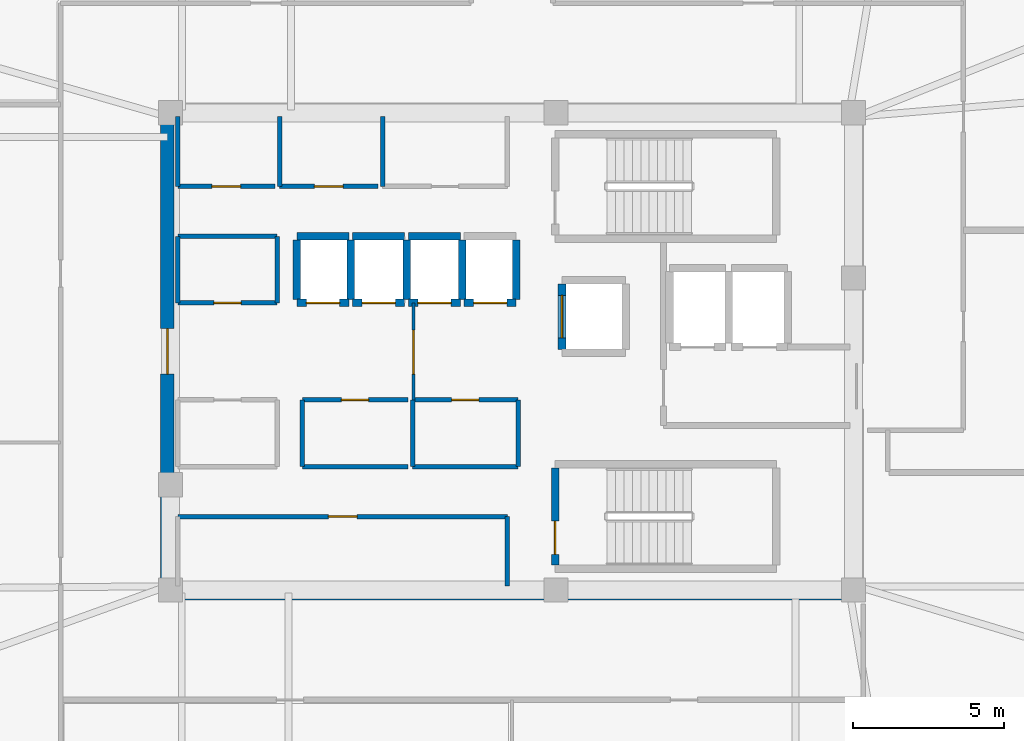
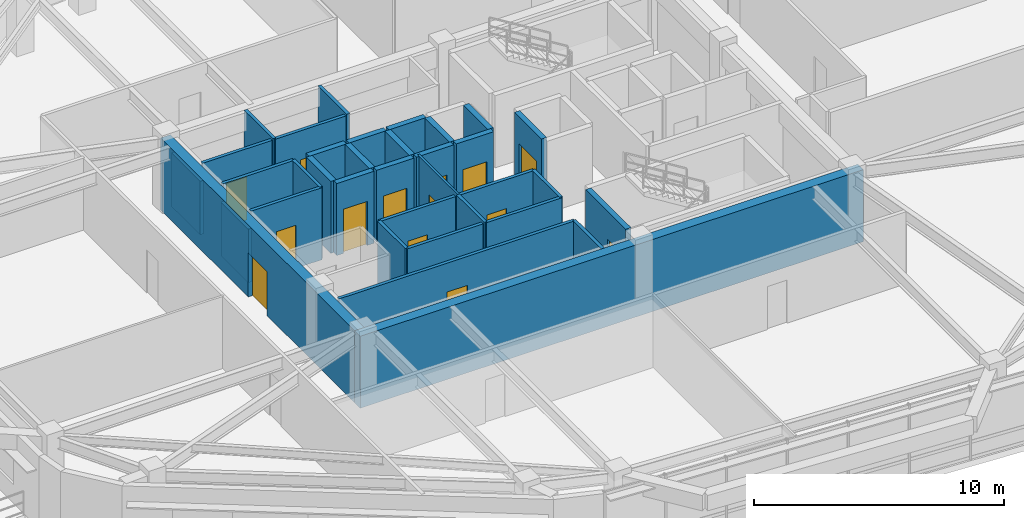
# One storey, part 7 of 12: 35 walls, 14 doors, 14 openings.
"""IFC4 building model written with IfcOpenShell, lengths in metres."""

from ifc_helpers import new_model, si_unit, direction, frame, frame_2d, origin, place, context, subcontext, project, spatial, rectangle, extrude, material, layer, layer_set, type_object, element, fill, save


model = new_model("IFC4")

# Units and contexts
model_context = context("Model", 3, precision=1e-05, world=origin(), true_north=direction((0.0, 1.0)))
body_context = subcontext(model_context, "Body", "Model", "MODEL_VIEW")
ifc_project = project(units=[si_unit("LENGTHUNIT", "METRE"), si_unit("AREAUNIT", "SQUARE_METRE"), si_unit("VOLUMEUNIT", "CUBIC_METRE"), si_unit("PLANEANGLEUNIT", "RADIAN"), si_unit("MASSUNIT", "GRAM", prefix="KILO")], contexts=[model_context])

# Site, building, storey
site_placement = place(None, origin())
site = spatial("IfcSite", under=ifc_project, at=site_placement, CompositionType="ELEMENT")
building_placement = place(site_placement, origin())
building = spatial("IfcBuilding", under=site, at=building_placement, Name="Zulverin Broadcast Headquarters", CompositionType="ELEMENT")
storey_placement = place(building_placement, frame((0.0, 0.0, 232.60009765625)))
storey = spatial("IfcBuildingStorey", under=building, at=storey_placement, Name="L59", CompositionType="ELEMENT", Elevation=232.60009765625)

# Wall
ifc_material_1 = material(Name="Concrete C50/60", Category="concrete")
ifc_layer_1 = layer(ifc_material_1, 0.449951171875, Name="Concrete C50/60", Category="concrete")
ifc_layer_set_1 = layer_set([ifc_layer_1], Name="Concrete C50/60")
wall_type_1 = type_object("IfcWallType", Name="WL-CORE-450", PredefinedType="SHEAR", material=ifc_layer_set_1)
wall_1_placement = place(storey_placement, frame((25.39990234375, 17.22509765625, 0.0), z_axis=(0.0, 0.0, 1.0), x_axis=(1.0, 0.0, 0.0)))
element("IfcWall", 1, at=wall_1_placement, inside=storey, type_object=wall_type_1, Name="L59 Core South Shear Wall", PredefinedType="SHEAR", context=body_context, shape_type="SweptSolid", body=[
    extrude(rectangle(XDim=23.2001953125, YDim=0.449951171875, at=frame_2d((11.60009765625, 0.0))), origin(), (0.0, 0.0, 1.0), 3.510009765625),
])

# Wall, opening, door
wall_2_placement = place(storey_placement, frame((25.625, 17.449951171875, 0.0), z_axis=(0.0, 0.0, 1.0), x_axis=(0.0, 1.0, 0.0)))
wall_2 = element("IfcWall", 2, at=wall_2_placement, inside=storey, type_object=wall_type_1, Name="L59 Core West Shear Wall", PredefinedType="SHEAR", context=body_context, shape_type="SweptSolid", body=[
    extrude(rectangle(XDim=15.5, YDim=0.449951171875, at=frame_2d((7.75, 0.0))), origin(), (0.0, 0.0, 1.0), 3.510009765625),
])
opening_1_placement = place(wall_2_placement, frame((7.0, 0.0, 0.0)))
opening_1 = element("IfcOpeningElement", 3, at=opening_1_placement, cuts=wall_2, Name="Opening D-L59-CW1", PredefinedType="OPENING", context=body_context, shape_type="SweptSolid", body=[
    extrude(rectangle(XDim=1.5, YDim=2.14990234375, at=frame_2d((0.75, 1.074951171875))), frame((0.0, 0.23486328125, 0.0), z_axis=(0.0, -1.0, 0.0), x_axis=(1.0, 0.0, 0.0)), (0.0, 0.0, 1.0), 0.469970703125),
])
ifc_material_2 = material(Name="Fire-rated glazed steel frame", Category="steel")
door_type_1 = type_object("IfcDoorType", Name="DR-COR-1500", OperationType="DOUBLE_DOOR_SINGLE_SWING", PredefinedType="DOOR", material=ifc_material_2)
door_1_placement = place(opening_1_placement, origin())
door_1 = element("IfcDoor", 4, at=door_1_placement, inside=storey, type_object=door_type_1, Name="L59 Central Lift Lobby West Portal Door", OperationType="DOUBLE_DOOR_SINGLE_SWING", OverallHeight=2.14990234375, OverallWidth=1.5, PredefinedType="DOOR", context=body_context, shape_type="SweptSolid", body=[
    extrude(rectangle(XDim=1.5, YDim=2.14990234375, at=frame_2d((0.75, 1.074951171875))), frame((0.0, 0.02490234375, 0.0), z_axis=(0.0, -1.0, 0.0), x_axis=(1.0, 0.0, 0.0)), (0.0, 0.0, 1.0), 0.050048828125),
])
fill(opening_1, door_1)

ifc_material_3 = material(Name="Fire-rated acoustic laminated glass screen", Category="glass")
ifc_layer_2 = layer(ifc_material_3, 0.10009765625, Name="Fire-rated acoustic laminated glass screen", Category="glass")
ifc_layer_set_2 = layer_set([ifc_layer_2], Name="Fire-rated acoustic laminated glass screen")
wall_type_2 = type_object("IfcWallType", Name="WL-GLAZ-100", PredefinedType="PARTITIONING", material=ifc_layer_set_2)
wall_3_placement = place(storey_placement, frame((33.75, 23.60009765625, 0.0), z_axis=(0.0, 0.0, 1.0), x_axis=(0.0, 1.0, 0.0)))
wall_3 = element("IfcWall", 5, at=wall_3_placement, inside=storey, type_object=wall_type_2, Name="L59 Core Lobby Acoustic Screen", PredefinedType="PARTITIONING", context=body_context, shape_type="SweptSolid", body=[
    extrude(rectangle(XDim=3.199951171875, YDim=0.10009765625, at=frame_2d((1.60009765625, 0.0))), origin(), (0.0, 0.0, 1.0), 3.510009765625),
])
opening_2_placement = place(wall_3_placement, frame((0.85009765625, 0.0, 0.0)))
opening_2 = element("IfcOpeningElement", 6, at=opening_2_placement, cuts=wall_3, Name="Opening D-L59-CL1", PredefinedType="OPENING", context=body_context, shape_type="SweptSolid", body=[
    extrude(rectangle(XDim=1.449951171875, YDim=2.1201171875, at=frame_2d((0.72509765625, 1.06005859375))), frame((0.0, 0.06005859375, 0.0), z_axis=(0.0, -1.0, 0.0), x_axis=(1.0, 0.0, 0.0)), (0.0, 0.0, 1.0), 0.1201171875),
])
ifc_material_4 = material(Name="Fire-rated acoustic glazed double leaf", Category="glass")
door_type_2 = type_object("IfcDoorType", Name="DR-GLZ-1450", OperationType="DOUBLE_DOOR_SINGLE_SWING", PredefinedType="DOOR", material=ifc_material_4)
door_2_placement = place(opening_2_placement, origin())
door_2 = element("IfcDoor", 7, at=door_2_placement, inside=storey, type_object=door_type_2, Name="L59 Core Lobby Vestibule Door", OperationType="DOUBLE_DOOR_SINGLE_SWING", OverallHeight=2.1201171875, OverallWidth=1.449951171875, PredefinedType="DOOR", context=body_context, shape_type="SweptSolid", body=[
    extrude(rectangle(XDim=1.449951171875, YDim=2.1201171875, at=frame_2d((0.72509765625, 1.06005859375))), frame((0.0, 0.02490234375, 0.0), z_axis=(0.0, -1.0, 0.0), x_axis=(1.0, 0.0, 0.0)), (0.0, 0.0, 1.0), 0.050048828125),
])
fill(opening_2, door_2)

ifc_material_5 = material(Name="Fire-rated gypsum stud partition", Category="gypsum")
ifc_layer_3 = layer(ifc_material_5, 0.14990234375, Name="Fire-rated gypsum stud partition", Category="gypsum")
ifc_layer_set_3 = layer_set([ifc_layer_3], Name="Fire-rated gypsum stud partition")
wall_type_3 = type_object("IfcWallType", Name="WL-PART-150", PredefinedType="PARTITIONING", material=ifc_layer_set_3)
wall_4_placement = place(storey_placement, frame((25.969970703125, 30.64990234375, 0.0), z_axis=(0.0, 0.0, 1.0), x_axis=(1.0, 0.0, 0.0)))
wall_4 = element("IfcWall", 8, at=wall_4_placement, inside=storey, type_object=wall_type_3, Name="L59 Core Accessible WC Front Wall", PredefinedType="PARTITIONING", context=body_context, shape_type="SweptSolid", body=[
    extrude(rectangle(XDim=3.199951171875, YDim=0.14990234375, at=frame_2d((1.60009765625, 0.0))), origin(), (0.0, 0.0, 1.0), 3.510009765625),
])
opening_3_placement = place(wall_4_placement, frame((1.125, 0.0, 0.0)))
opening_3 = element("IfcOpeningElement", 9, at=opening_3_placement, cuts=wall_4, Name="Opening D-L59-NC1", PredefinedType="OPENING", context=body_context, shape_type="SweptSolid", body=[
    extrude(rectangle(XDim=0.949951171875, YDim=2.10009765625, at=frame_2d((0.47509765625, 1.050048828125))), frame((0.0, 0.0849609375, 0.0), z_axis=(0.0, -1.0, 0.0), x_axis=(1.0, 0.0, 0.0)), (0.0, 0.0, 1.0), 0.169921875),
])
ifc_material_6 = material(Name="Fire-rated moisture-resistant laminate leaf", Category="wood")
door_type_3 = type_object("IfcDoorType", Name="DR-WC-950", OperationType="SINGLE_SWING_LEFT", PredefinedType="DOOR", material=ifc_material_6)
door_3_placement = place(opening_3_placement, origin())
door_3 = element("IfcDoor", 10, at=door_3_placement, inside=storey, type_object=door_type_3, Name="L59 Accessible WC Door", OperationType="SINGLE_SWING_LEFT", OverallHeight=2.10009765625, OverallWidth=0.949951171875, PredefinedType="DOOR", context=body_context, shape_type="SweptSolid", body=[
    extrude(rectangle(XDim=0.949951171875, YDim=2.10009765625, at=frame_2d((0.47509765625, 1.050048828125))), frame((0.0, 0.02490234375, 0.0), z_axis=(0.0, -1.0, 0.0), x_axis=(1.0, 0.0, 0.0)), (0.0, 0.0, 1.0), 0.050048828125),
])
fill(opening_3, door_3)

# Wall
wall_5_placement = place(storey_placement, frame((25.969970703125, 30.64990234375, 0.0), z_axis=(0.0, 0.0, 1.0), x_axis=(0.0, 1.0, 0.0)))
element("IfcWall", 11, at=wall_5_placement, inside=storey, type_object=wall_type_3, Name="L59 Core Accessible WC West Wall", PredefinedType="PARTITIONING", context=body_context, shape_type="SweptSolid", body=[
    extrude(rectangle(XDim=2.300048828125, YDim=0.14990234375, at=frame_2d((1.14990234375, 0.0))), origin(), (0.0, 0.0, 1.0), 2.60986328125),
])

# Wall, opening, door
wall_6_placement = place(storey_placement, frame((29.330078125, 30.64990234375, 0.0), z_axis=(0.0, 0.0, 1.0), x_axis=(1.0, 0.0, 0.0)))
wall_6 = element("IfcWall", 12, at=wall_6_placement, inside=storey, type_object=wall_type_3, Name="L59 Core Male WC Front Wall", PredefinedType="PARTITIONING", context=body_context, shape_type="SweptSolid", body=[
    extrude(rectangle(XDim=3.239990234375, YDim=0.14990234375, at=frame_2d((1.6201171875, 0.0))), origin(), (0.0, 0.0, 1.0), 3.510009765625),
])
opening_4_placement = place(wall_6_placement, frame((1.14501953125, 0.0, 0.0)))
opening_4 = element("IfcOpeningElement", 13, at=opening_4_placement, cuts=wall_6, Name="Opening D-L59-NC2", PredefinedType="OPENING", context=body_context, shape_type="SweptSolid", body=[
    extrude(rectangle(XDim=0.949951171875, YDim=2.10009765625, at=frame_2d((0.47509765625, 1.050048828125))), frame((0.0, 0.0849609375, 0.0), z_axis=(0.0, -1.0, 0.0), x_axis=(1.0, 0.0, 0.0)), (0.0, 0.0, 1.0), 0.169921875),
])
door_4_placement = place(opening_4_placement, origin())
door_4 = element("IfcDoor", 14, at=door_4_placement, inside=storey, type_object=door_type_3, Name="L59 Male WC Door", OperationType="SINGLE_SWING_RIGHT", OverallHeight=2.10009765625, OverallWidth=0.949951171875, PredefinedType="DOOR", context=body_context, shape_type="SweptSolid", body=[
    extrude(rectangle(XDim=0.949951171875, YDim=2.10009765625, at=frame_2d((0.47509765625, 1.050048828125))), frame((0.0, 0.02490234375, 0.0), z_axis=(0.0, -1.0, 0.0), x_axis=(1.0, 0.0, 0.0)), (0.0, 0.0, 1.0), 0.050048828125),
])
fill(opening_4, door_4)

# Walls
for number, where, z_axis, x_axis, name in (
    (15, (29.330078125, 30.64990234375, 0.0), (0.0, 0.0, 1.0), (0.0, 1.0, 0.0), "L59 Core Male WC West Wall"),
    (16, (32.72998046875, 30.64990234375, 0.0), (0.0, 0.0, 1.0), (0.0, 1.0, 0.0), "L59 Core Electrical Switch Riser West Wall"),
):
    element("IfcWall", number, at=place(storey_placement, frame(where, z_axis=z_axis, x_axis=x_axis)), inside=storey, type_object=wall_type_3, Name=name, PredefinedType="PARTITIONING", context=body_context, shape_type="SweptSolid", body=[
        extrude(rectangle(XDim=2.300048828125, YDim=0.14990234375, at=frame_2d((1.14990234375, 0.0))), origin(), (0.0, 0.0, 1.0), 3.510009765625),
    ])

# Wall, opening, door
wall_7_placement = place(storey_placement, frame((25.969970703125, 19.75, 0.0), z_axis=(0.0, 0.0, 1.0), x_axis=(1.0, 0.0, 0.0)))
wall_7 = element("IfcWall", 17, at=wall_7_placement, inside=storey, type_object=wall_type_3, Name="L59 Core Female WC & Facilities Room Front Wall", PredefinedType="PARTITIONING", context=body_context, shape_type="SweptSolid", body=[
    extrude(rectangle(XDim=10.880126953125, YDim=0.14990234375, at=frame_2d((5.43994140625, 0.0))), origin(), (0.0, 0.0, 1.0), 3.510009765625),
])
opening_5_placement = place(wall_7_placement, frame((4.965087890625, 0.0, 0.0)))
opening_5 = element("IfcOpeningElement", 18, at=opening_5_placement, cuts=wall_7, Name="Opening D-L59-SC1", PredefinedType="OPENING", context=body_context, shape_type="SweptSolid", body=[
    extrude(rectangle(XDim=0.949951171875, YDim=2.10009765625, at=frame_2d((0.47509765625, 1.050048828125))), frame((0.0, 0.0849609375, 0.0), z_axis=(0.0, -1.0, 0.0), x_axis=(1.0, 0.0, 0.0)), (0.0, 0.0, 1.0), 0.169921875),
])
door_5_placement = place(opening_5_placement, origin())
door_5 = element("IfcDoor", 19, at=door_5_placement, inside=storey, type_object=door_type_3, Name="L59 Female WC & Facilities Room Door", OperationType="SINGLE_SWING_RIGHT", OverallHeight=2.10009765625, OverallWidth=0.949951171875, PredefinedType="DOOR", context=body_context, shape_type="SweptSolid", body=[
    extrude(rectangle(XDim=0.949951171875, YDim=2.10009765625, at=frame_2d((0.47509765625, 1.050048828125))), frame((0.0, 0.02490234375, 0.0), z_axis=(0.0, -1.0, 0.0), x_axis=(1.0, 0.0, 0.0)), (0.0, 0.0, 1.0), 0.050048828125),
])
fill(opening_5, door_5)

# Wall
wall_8_placement = place(storey_placement, frame((36.85009765625, 17.449951171875, 0.0), z_axis=(0.0, 0.0, 1.0), x_axis=(0.0, 1.0, 0.0)))
element("IfcWall", 20, at=wall_8_placement, inside=storey, type_object=wall_type_3, Name="L59 Core Female WC & Facilities Room East Wall", PredefinedType="PARTITIONING", context=body_context, shape_type="SweptSolid", body=[
    extrude(rectangle(XDim=2.300048828125, YDim=0.14990234375, at=frame_2d((1.14990234375, 0.0))), origin(), (0.0, 0.0, 1.0), 3.510009765625),
])

# Wall, opening, door
wall_9_placement = place(storey_placement, frame((25.969970703125, 26.800048828125, 0.0), z_axis=(0.0, 0.0, 1.0), x_axis=(1.0, 0.0, 0.0)))
wall_9 = element("IfcWall", 21, at=wall_9_placement, inside=storey, type_object=wall_type_3, Name="L59 Core UPS Battery Store S Wall", PredefinedType="PARTITIONING", context=body_context, shape_type="SweptSolid", body=[
    extrude(rectangle(XDim=3.280029296875, YDim=0.14990234375, at=frame_2d((1.64013671875, 0.0))), origin(), (0.0, 0.0, 1.0), 3.510009765625),
])
opening_6_placement = place(wall_9_placement, frame((1.18994140625, 0.0, 0.0)))
opening_6 = element("IfcOpeningElement", 22, at=opening_6_placement, cuts=wall_9, Name="Opening D-L59-RCLN", PredefinedType="OPENING", context=body_context, shape_type="SweptSolid", body=[
    extrude(rectangle(XDim=0.89990234375, YDim=2.10009765625, at=frame_2d((0.449951171875, 1.050048828125))), frame((0.0, 0.0849609375, 0.0), z_axis=(0.0, -1.0, 0.0), x_axis=(1.0, 0.0, 0.0)), (0.0, 0.0, 1.0), 0.169921875),
])
ifc_material_7 = material(Name="Powder-coated steel access leaf", Category="steel")
door_type_4 = type_object("IfcDoorType", Name="DR-RISER-900", OperationType="SINGLE_SWING_LEFT", PredefinedType="DOOR", material=ifc_material_7)
door_6_placement = place(opening_6_placement, origin())
door_6 = element("IfcDoor", 23, at=door_6_placement, inside=storey, type_object=door_type_4, Name="L59 Core UPS Battery Store Door", OperationType="SINGLE_SWING_LEFT", OverallHeight=2.10009765625, OverallWidth=0.89990234375, PredefinedType="DOOR", context=body_context, shape_type="SweptSolid", body=[
    extrude(rectangle(XDim=0.89990234375, YDim=2.10009765625, at=frame_2d((0.449951171875, 1.050048828125))), frame((0.0, 0.02490234375, 0.0), z_axis=(0.0, -1.0, 0.0), x_axis=(1.0, 0.0, 0.0)), (0.0, 0.0, 1.0), 0.050048828125),
])
fill(opening_6, door_6)

# Walls
wall_10_placement = place(storey_placement, frame((25.969970703125, 29.0, 0.0), z_axis=(0.0, 0.0, 1.0), x_axis=(1.0, 0.0, 0.0)))
element("IfcWall", 24, at=wall_10_placement, inside=storey, type_object=wall_type_3, Name="L59 Core UPS Battery Store N Wall", PredefinedType="PARTITIONING", context=body_context, shape_type="SweptSolid", body=[
    extrude(rectangle(XDim=3.280029296875, YDim=0.14990234375, at=frame_2d((1.64013671875, 0.0))), origin(), (0.0, 0.0, 1.0), 3.510009765625),
])
wall_11_placement = place(storey_placement, frame((25.969970703125, 26.800048828125, 0.0), z_axis=(0.0, 0.0, 1.0), x_axis=(0.0, 1.0, 0.0)))
element("IfcWall", 25, at=wall_11_placement, inside=storey, type_object=wall_type_3, Name="L59 Core UPS Battery Store W Wall", PredefinedType="PARTITIONING", context=body_context, shape_type="SweptSolid", body=[
    extrude(rectangle(XDim=2.199951171875, YDim=0.14990234375, at=frame_2d((1.10009765625, 0.0))), origin(), (0.0, 0.0, 1.0), 2.60986328125),
])
wall_12_placement = place(storey_placement, frame((29.25, 26.800048828125, 0.0), z_axis=(0.0, 0.0, 1.0), x_axis=(0.0, 1.0, 0.0)))
element("IfcWall", 26, at=wall_12_placement, inside=storey, type_object=wall_type_3, Name="L59 Core UPS Battery Store E Wall", PredefinedType="PARTITIONING", context=body_context, shape_type="SweptSolid", body=[
    extrude(rectangle(XDim=2.199951171875, YDim=0.14990234375, at=frame_2d((1.10009765625, 0.0))), origin(), (0.0, 0.0, 1.0), 3.510009765625),
])
wall_13_placement = place(storey_placement, frame((30.080078125, 21.39990234375, 0.0), z_axis=(0.0, 0.0, 1.0), x_axis=(1.0, 0.0, 0.0)))
element("IfcWall", 27, at=wall_13_placement, inside=storey, type_object=wall_type_3, Name="L59 High-Zone Archive Vault Store S Wall", PredefinedType="PARTITIONING", context=body_context, shape_type="SweptSolid", body=[
    extrude(rectangle(XDim=3.47998046875, YDim=0.14990234375, at=frame_2d((1.739990234375, 0.0))), origin(), (0.0, 0.0, 1.0), 3.510009765625),
])

# Wall, opening, door
wall_14_placement = place(storey_placement, frame((30.080078125, 23.60009765625, 0.0), z_axis=(0.0, 0.0, 1.0), x_axis=(1.0, 0.0, 0.0)))
wall_14 = element("IfcWall", 28, at=wall_14_placement, inside=storey, type_object=wall_type_3, Name="L59 High-Zone Archive Vault Store N Wall", PredefinedType="PARTITIONING", context=body_context, shape_type="SweptSolid", body=[
    extrude(rectangle(XDim=3.47998046875, YDim=0.14990234375, at=frame_2d((1.739990234375, 0.0))), origin(), (0.0, 0.0, 1.0), 3.510009765625),
])
opening_7_placement = place(wall_14_placement, frame((1.2900390625, 0.0, 0.0)))
opening_7 = element("IfcOpeningElement", 29, at=opening_7_placement, cuts=wall_14, Name="Opening D-L59-RM1", PredefinedType="OPENING", context=body_context, shape_type="SweptSolid", body=[
    extrude(rectangle(XDim=0.89990234375, YDim=2.10009765625, at=frame_2d((0.449951171875, 1.050048828125))), frame((0.0, 0.0849609375, 0.0), z_axis=(0.0, -1.0, 0.0), x_axis=(1.0, 0.0, 0.0)), (0.0, 0.0, 1.0), 0.169921875),
])
door_7_placement = place(opening_7_placement, origin())
door_7 = element("IfcDoor", 30, at=door_7_placement, inside=storey, type_object=door_type_4, Name="L59 High-Zone Archive Vault Store Door", OperationType="SINGLE_SWING_LEFT", OverallHeight=2.10009765625, OverallWidth=0.89990234375, PredefinedType="DOOR", context=body_context, shape_type="SweptSolid", body=[
    extrude(rectangle(XDim=0.89990234375, YDim=2.10009765625, at=frame_2d((0.449951171875, 1.050048828125))), frame((0.0, 0.02490234375, 0.0), z_axis=(0.0, -1.0, 0.0), x_axis=(1.0, 0.0, 0.0)), (0.0, 0.0, 1.0), 0.050048828125),
])
fill(opening_7, door_7)

# Walls
wall_15_placement = place(storey_placement, frame((30.080078125, 21.39990234375, 0.0), z_axis=(0.0, 0.0, 1.0), x_axis=(0.0, 1.0, 0.0)))
element("IfcWall", 31, at=wall_15_placement, inside=storey, type_object=wall_type_3, Name="L59 High-Zone Archive Vault Store W Wall", PredefinedType="PARTITIONING", context=body_context, shape_type="SweptSolid", body=[
    extrude(rectangle(XDim=2.2001953125, YDim=0.14990234375, at=frame_2d((1.10009765625, 0.0))), origin(), (0.0, 0.0, 1.0), 3.510009765625),
])
wall_16_placement = place(storey_placement, frame((33.719970703125, 21.39990234375, 0.0), z_axis=(0.0, 0.0, 1.0), x_axis=(1.0, 0.0, 0.0)))
element("IfcWall", 32, at=wall_16_placement, inside=storey, type_object=wall_type_3, Name="L59 Executive Floor Pantry Store S Wall", PredefinedType="PARTITIONING", context=body_context, shape_type="SweptSolid", body=[
    extrude(rectangle(XDim=3.47998046875, YDim=0.14990234375, at=frame_2d((1.739990234375, 0.0))), origin(), (0.0, 0.0, 1.0), 3.510009765625),
])

# Wall, opening, door
wall_17_placement = place(storey_placement, frame((33.719970703125, 23.60009765625, 0.0), z_axis=(0.0, 0.0, 1.0), x_axis=(1.0, 0.0, 0.0)))
wall_17 = element("IfcWall", 33, at=wall_17_placement, inside=storey, type_object=wall_type_3, Name="L59 Executive Floor Pantry Store N Wall", PredefinedType="PARTITIONING", context=body_context, shape_type="SweptSolid", body=[
    extrude(rectangle(XDim=3.47998046875, YDim=0.14990234375, at=frame_2d((1.739990234375, 0.0))), origin(), (0.0, 0.0, 1.0), 3.510009765625),
])
opening_8_placement = place(wall_17_placement, frame((1.2900390625, 0.0, 0.0)))
opening_8 = element("IfcOpeningElement", 34, at=opening_8_placement, cuts=wall_17, Name="Opening D-L59-RM2", PredefinedType="OPENING", context=body_context, shape_type="SweptSolid", body=[
    extrude(rectangle(XDim=0.89990234375, YDim=2.10009765625, at=frame_2d((0.449951171875, 1.050048828125))), frame((0.0, 0.0849609375, 0.0), z_axis=(0.0, -1.0, 0.0), x_axis=(1.0, 0.0, 0.0)), (0.0, 0.0, 1.0), 0.169921875),
])
door_8_placement = place(opening_8_placement, origin())
door_8 = element("IfcDoor", 35, at=door_8_placement, inside=storey, type_object=door_type_4, Name="L59 Executive Floor Pantry Store Door", OperationType="SINGLE_SWING_RIGHT", OverallHeight=2.10009765625, OverallWidth=0.89990234375, PredefinedType="DOOR", context=body_context, shape_type="SweptSolid", body=[
    extrude(rectangle(XDim=0.89990234375, YDim=2.10009765625, at=frame_2d((0.449951171875, 1.050048828125))), frame((0.0, 0.02490234375, 0.0), z_axis=(0.0, -1.0, 0.0), x_axis=(1.0, 0.0, 0.0)), (0.0, 0.0, 1.0), 0.050048828125),
])
fill(opening_8, door_8)

# Walls
for number, where, z_axis, x_axis, name in (
    (36, (33.719970703125, 21.39990234375, 0.0), (0.0, 0.0, 1.0), (0.0, 1.0, 0.0), "L59 Executive Floor Pantry Store W Wall"),
    (37, (37.199951171875, 21.39990234375, 0.0), (0.0, 0.0, 1.0), (0.0, 1.0, 0.0), "L59 Executive Floor Pantry Store E Wall"),
):
    element("IfcWall", number, at=place(storey_placement, frame(where, z_axis=z_axis, x_axis=x_axis)), inside=storey, type_object=wall_type_3, Name=name, PredefinedType="PARTITIONING", context=body_context, shape_type="SweptSolid", body=[
        extrude(rectangle(XDim=2.2001953125, YDim=0.14990234375, at=frame_2d((1.10009765625, 0.0))), origin(), (0.0, 0.0, 1.0), 3.510009765625),
    ])

# Wall, opening, door
ifc_layer_4 = layer(ifc_material_1, 0.25, Name="Concrete C50/60", Category="concrete")
ifc_layer_set_4 = layer_set([ifc_layer_4], Name="Concrete C50/60")
wall_type_4 = type_object("IfcWallType", Name="WL-SHAFT-250", PredefinedType="SHEAR", material=ifc_layer_set_4)
wall_18_placement = place(storey_placement, frame((38.425048828125, 18.14990234375, 0.0), z_axis=(0.0, 0.0, 1.0), x_axis=(0.0, 1.0, 0.0)))
wall_18 = element("IfcWall", 38, at=wall_18_placement, inside=storey, type_object=wall_type_4, Name="L59 ST-2 Enclosure Wall W", PredefinedType="SHEAR", context=body_context, shape_type="SweptSolid", body=[
    extrude(rectangle(XDim=3.2001953125, YDim=0.25, at=frame_2d((1.60009765625, 0.0))), origin(), (0.0, 0.0, 1.0), 3.510009765625),
])
opening_9_placement = place(wall_18_placement, frame((0.35009765625, 0.0, 0.0)))
opening_9 = element("IfcOpeningElement", 39, at=opening_9_placement, cuts=wall_18, Name="Opening D-L59-ST-2", PredefinedType="OPENING", context=body_context, shape_type="SweptSolid", body=[
    extrude(rectangle(XDim=1.10009765625, YDim=2.14990234375, at=frame_2d((0.550048828125, 1.074951171875))), frame((0.0, 0.135009765625, 0.0), z_axis=(0.0, -1.0, 0.0), x_axis=(1.0, 0.0, 0.0)), (0.0, 0.0, 1.0), 0.27001953125),
])
ifc_material_8 = material(Name="Fire-rated steel leaf and frame", Category="steel")
door_type_5 = type_object("IfcDoorType", Name="DR-STAIR-1100", OperationType="SINGLE_SWING_LEFT", PredefinedType="DOOR", material=ifc_material_8)
door_9_placement = place(opening_9_placement, origin())
door_9 = element("IfcDoor", 40, at=door_9_placement, inside=storey, type_object=door_type_5, Name="L59 Exit Stair ST-2 Fire Door", OperationType="SINGLE_SWING_RIGHT", OverallHeight=2.14990234375, OverallWidth=1.10009765625, PredefinedType="DOOR", context=body_context, shape_type="SweptSolid", body=[
    extrude(rectangle(XDim=1.10009765625, YDim=2.14990234375, at=frame_2d((0.550048828125, 1.074951171875))), frame((0.0, 0.02490234375, 0.0), z_axis=(0.0, -1.0, 0.0), x_axis=(1.0, 0.0, 0.0)), (0.0, 0.0, 1.0), 0.050048828125),
])
fill(opening_9, door_9)

wall_19_placement = place(storey_placement, frame((29.89990234375, 26.800048828125, 0.0), z_axis=(0.0, 0.0, 1.0), x_axis=(1.0, 0.0, 0.0)))
wall_19 = element("IfcWall", 41, at=wall_19_placement, inside=storey, type_object=wall_type_4, Name="L59 Lift PL-H1 Shaft Wall S", PredefinedType="SHEAR", context=body_context, shape_type="SweptSolid", body=[
    extrude(rectangle(XDim=1.72021484375, YDim=0.25, at=frame_2d((0.860107421875, 0.0))), origin(), (0.0, 0.0, 1.0), 3.510009765625),
])
opening_10_placement = place(wall_19_placement, frame((0.31005859375, 0.0, 0.0)))
opening_10 = element("IfcOpeningElement", 42, at=opening_10_placement, cuts=wall_19, Name="Opening LD-PL-H1-L59", PredefinedType="OPENING", context=body_context, shape_type="SweptSolid", body=[
    extrude(rectangle(XDim=1.10009765625, YDim=2.14990234375, at=frame_2d((0.550048828125, 1.074951171875))), frame((0.0, 0.135009765625, 0.0), z_axis=(0.0, -1.0, 0.0), x_axis=(1.0, 0.0, 0.0)), (0.0, 0.0, 1.0), 0.27001953125),
])
ifc_material_9 = material(Name="Brushed stainless steel landing", Category="steel")
door_type_6 = type_object("IfcDoorType", Name="LD-PASS-1100", OperationType="DOUBLE_DOOR_SLIDING", PredefinedType="DOOR", material=ifc_material_9)
door_10_placement = place(opening_10_placement, origin())
door_10 = element("IfcDoor", 43, at=door_10_placement, inside=storey, type_object=door_type_6, Name="L59 Lift PL-H1 Sliding Landing Door", OperationType="DOUBLE_DOOR_SLIDING", OverallHeight=2.14990234375, OverallWidth=1.10009765625, PredefinedType="DOOR", context=body_context, shape_type="SweptSolid", body=[
    extrude(rectangle(XDim=1.10009765625, YDim=2.14990234375, at=frame_2d((0.550048828125, 1.074951171875))), frame((0.0, 0.02490234375, 0.0), z_axis=(0.0, -1.0, 0.0), x_axis=(1.0, 0.0, 0.0)), (0.0, 0.0, 1.0), 0.050048828125),
])
fill(opening_10, door_10)

# Walls
wall_20_placement = place(storey_placement, frame((29.89990234375, 29.0, 0.0), z_axis=(0.0, 0.0, 1.0), x_axis=(1.0, 0.0, 0.0)))
element("IfcWall", 44, at=wall_20_placement, inside=storey, type_object=wall_type_4, Name="L59 Lift PL-H1 Shaft Wall N", PredefinedType="SHEAR", context=body_context, shape_type="SweptSolid", body=[
    extrude(rectangle(XDim=1.72021484375, YDim=0.25, at=frame_2d((0.860107421875, 0.0))), origin(), (0.0, 0.0, 1.0), 3.510009765625),
])
for number, where, z_axis, x_axis, name in (
    (45, (29.89990234375, 26.919921875, 0.0), (0.0, 0.0, 1.0), (0.0, 1.0, 0.0), "L59 Lift PL-H1 Shaft Wall W"),
    (46, (31.679931640625, 26.919921875, 0.0), (0.0, 0.0, 1.0), (0.0, 1.0, 0.0), "L59 Lift PL-H1 Shaft Wall E"),
):
    element("IfcWall", number, at=place(storey_placement, frame(where, z_axis=z_axis, x_axis=x_axis)), inside=storey, type_object=wall_type_4, Name=name, PredefinedType="SHEAR", context=body_context, shape_type="SweptSolid", body=[
        extrude(rectangle(XDim=1.9599609375, YDim=0.25, at=frame_2d((0.97998046875, 0.0))), origin(), (0.0, 0.0, 1.0), 3.510009765625),
    ])

# Wall, opening, door
wall_21_placement = place(storey_placement, frame((31.739990234375, 26.800048828125, 0.0), z_axis=(0.0, 0.0, 1.0), x_axis=(1.0, 0.0, 0.0)))
wall_21 = element("IfcWall", 47, at=wall_21_placement, inside=storey, type_object=wall_type_4, Name="L59 Lift PL-H2 Shaft Wall S", PredefinedType="SHEAR", context=body_context, shape_type="SweptSolid", body=[
    extrude(rectangle(XDim=1.719970703125, YDim=0.25, at=frame_2d((0.85986328125, 0.0))), origin(), (0.0, 0.0, 1.0), 3.510009765625),
])
opening_11_placement = place(wall_21_placement, frame((0.31005859375, 0.0, 0.0)))
opening_11 = element("IfcOpeningElement", 48, at=opening_11_placement, cuts=wall_21, Name="Opening LD-PL-H2-L59", PredefinedType="OPENING", context=body_context, shape_type="SweptSolid", body=[
    extrude(rectangle(XDim=1.10009765625, YDim=2.14990234375, at=frame_2d((0.550048828125, 1.074951171875))), frame((0.0, 0.135009765625, 0.0), z_axis=(0.0, -1.0, 0.0), x_axis=(1.0, 0.0, 0.0)), (0.0, 0.0, 1.0), 0.27001953125),
])
door_11_placement = place(opening_11_placement, origin())
door_11 = element("IfcDoor", 49, at=door_11_placement, inside=storey, type_object=door_type_6, Name="L59 Lift PL-H2 Sliding Landing Door", OperationType="DOUBLE_DOOR_SLIDING", OverallHeight=2.14990234375, OverallWidth=1.10009765625, PredefinedType="DOOR", context=body_context, shape_type="SweptSolid", body=[
    extrude(rectangle(XDim=1.10009765625, YDim=2.14990234375, at=frame_2d((0.550048828125, 1.074951171875))), frame((0.0, 0.02490234375, 0.0), z_axis=(0.0, -1.0, 0.0), x_axis=(1.0, 0.0, 0.0)), (0.0, 0.0, 1.0), 0.050048828125),
])
fill(opening_11, door_11)

# Walls
wall_22_placement = place(storey_placement, frame((31.739990234375, 29.0, 0.0), z_axis=(0.0, 0.0, 1.0), x_axis=(1.0, 0.0, 0.0)))
element("IfcWall", 50, at=wall_22_placement, inside=storey, type_object=wall_type_4, Name="L59 Lift PL-H2 Shaft Wall N", PredefinedType="SHEAR", context=body_context, shape_type="SweptSolid", body=[
    extrude(rectangle(XDim=1.719970703125, YDim=0.25, at=frame_2d((0.85986328125, 0.0))), origin(), (0.0, 0.0, 1.0), 3.510009765625),
])
wall_23_placement = place(storey_placement, frame((33.52001953125, 26.919921875, 0.0), z_axis=(0.0, 0.0, 1.0), x_axis=(0.0, 1.0, 0.0)))
element("IfcWall", 51, at=wall_23_placement, inside=storey, type_object=wall_type_4, Name="L59 Lift PL-H2 Shaft Wall E", PredefinedType="SHEAR", context=body_context, shape_type="SweptSolid", body=[
    extrude(rectangle(XDim=1.9599609375, YDim=0.25, at=frame_2d((0.97998046875, 0.0))), origin(), (0.0, 0.0, 1.0), 3.510009765625),
])

# Wall, opening, door
wall_24_placement = place(storey_placement, frame((33.580078125, 26.800048828125, 0.0), z_axis=(0.0, 0.0, 1.0), x_axis=(1.0, 0.0, 0.0)))
wall_24 = element("IfcWall", 52, at=wall_24_placement, inside=storey, type_object=wall_type_4, Name="L59 Lift PL-H3 Shaft Wall S", PredefinedType="SHEAR", context=body_context, shape_type="SweptSolid", body=[
    extrude(rectangle(XDim=1.719970703125, YDim=0.25, at=frame_2d((0.85986328125, 0.0))), origin(), (0.0, 0.0, 1.0), 3.510009765625),
])
opening_12_placement = place(wall_24_placement, frame((0.31005859375, 0.0, 0.0)))
opening_12 = element("IfcOpeningElement", 53, at=opening_12_placement, cuts=wall_24, Name="Opening LD-PL-H3-L59", PredefinedType="OPENING", context=body_context, shape_type="SweptSolid", body=[
    extrude(rectangle(XDim=1.10009765625, YDim=2.14990234375, at=frame_2d((0.550048828125, 1.074951171875))), frame((0.0, 0.135009765625, 0.0), z_axis=(0.0, -1.0, 0.0), x_axis=(1.0, 0.0, 0.0)), (0.0, 0.0, 1.0), 0.27001953125),
])
door_12_placement = place(opening_12_placement, origin())
door_12 = element("IfcDoor", 54, at=door_12_placement, inside=storey, type_object=door_type_6, Name="L59 Lift PL-H3 Sliding Landing Door", OperationType="DOUBLE_DOOR_SLIDING", OverallHeight=2.14990234375, OverallWidth=1.10009765625, PredefinedType="DOOR", context=body_context, shape_type="SweptSolid", body=[
    extrude(rectangle(XDim=1.10009765625, YDim=2.14990234375, at=frame_2d((0.550048828125, 1.074951171875))), frame((0.0, 0.02490234375, 0.0), z_axis=(0.0, -1.0, 0.0), x_axis=(1.0, 0.0, 0.0)), (0.0, 0.0, 1.0), 0.050048828125),
])
fill(opening_12, door_12)

# Walls
wall_25_placement = place(storey_placement, frame((33.580078125, 29.0, 0.0), z_axis=(0.0, 0.0, 1.0), x_axis=(1.0, 0.0, 0.0)))
element("IfcWall", 55, at=wall_25_placement, inside=storey, type_object=wall_type_4, Name="L59 Lift PL-H3 Shaft Wall N", PredefinedType="SHEAR", context=body_context, shape_type="SweptSolid", body=[
    extrude(rectangle(XDim=1.719970703125, YDim=0.25, at=frame_2d((0.85986328125, 0.0))), origin(), (0.0, 0.0, 1.0), 3.510009765625),
])
wall_26_placement = place(storey_placement, frame((35.360107421875, 26.919921875, 0.0), z_axis=(0.0, 0.0, 1.0), x_axis=(0.0, 1.0, 0.0)))
element("IfcWall", 56, at=wall_26_placement, inside=storey, type_object=wall_type_4, Name="L59 Lift PL-H3 Shaft Wall E", PredefinedType="SHEAR", context=body_context, shape_type="SweptSolid", body=[
    extrude(rectangle(XDim=1.9599609375, YDim=0.25, at=frame_2d((0.97998046875, 0.0))), origin(), (0.0, 0.0, 1.0), 3.510009765625),
])

# Wall, opening, door
wall_27_placement = place(storey_placement, frame((35.419921875, 26.800048828125, 0.0), z_axis=(0.0, 0.0, 1.0), x_axis=(1.0, 0.0, 0.0)))
wall_27 = element("IfcWall", 57, at=wall_27_placement, inside=storey, type_object=wall_type_4, Name="L59 Lift PL-H4 Shaft Wall S", PredefinedType="SHEAR", context=body_context, shape_type="SweptSolid", body=[
    extrude(rectangle(XDim=1.719970703125, YDim=0.25, at=frame_2d((0.85986328125, 0.0))), origin(), (0.0, 0.0, 1.0), 3.510009765625),
])
opening_13_placement = place(wall_27_placement, frame((0.31005859375, 0.0, 0.0)))
opening_13 = element("IfcOpeningElement", 58, at=opening_13_placement, cuts=wall_27, Name="Opening LD-PL-H4-L59", PredefinedType="OPENING", context=body_context, shape_type="SweptSolid", body=[
    extrude(rectangle(XDim=1.10009765625, YDim=2.14990234375, at=frame_2d((0.550048828125, 1.074951171875))), frame((0.0, 0.135009765625, 0.0), z_axis=(0.0, -1.0, 0.0), x_axis=(1.0, 0.0, 0.0)), (0.0, 0.0, 1.0), 0.27001953125),
])
door_13_placement = place(opening_13_placement, origin())
door_13 = element("IfcDoor", 59, at=door_13_placement, inside=storey, type_object=door_type_6, Name="L59 Lift PL-H4 Sliding Landing Door", OperationType="DOUBLE_DOOR_SLIDING", OverallHeight=2.14990234375, OverallWidth=1.10009765625, PredefinedType="DOOR", context=body_context, shape_type="SweptSolid", body=[
    extrude(rectangle(XDim=1.10009765625, YDim=2.14990234375, at=frame_2d((0.550048828125, 1.074951171875))), frame((0.0, 0.02490234375, 0.0), z_axis=(0.0, -1.0, 0.0), x_axis=(1.0, 0.0, 0.0)), (0.0, 0.0, 1.0), 0.050048828125),
])
fill(opening_13, door_13)

# Wall
wall_28_placement = place(storey_placement, frame((37.139892578125, 26.919921875, 0.0), z_axis=(0.0, 0.0, 1.0), x_axis=(0.0, 1.0, 0.0)))
element("IfcWall", 60, at=wall_28_placement, inside=storey, type_object=wall_type_4, Name="L59 Lift PL-H4 Shaft Wall E", PredefinedType="SHEAR", context=body_context, shape_type="SweptSolid", body=[
    extrude(rectangle(XDim=1.9599609375, YDim=0.25, at=frame_2d((0.97998046875, 0.0))), origin(), (0.0, 0.0, 1.0), 3.510009765625),
])

# Wall, opening, door
wall_29_placement = place(storey_placement, frame((38.64990234375, 25.27001953125, 0.0), z_axis=(0.0, 0.0, 1.0), x_axis=(0.0, 1.0, 0.0)))
wall_29 = element("IfcWall", 61, at=wall_29_placement, inside=storey, type_object=wall_type_4, Name="L59 Lift SVL-1 Shaft Wall W", PredefinedType="SHEAR", context=body_context, shape_type="SweptSolid", body=[
    extrude(rectangle(XDim=2.159912109375, YDim=0.25, at=frame_2d((1.080078125, 0.0))), origin(), (0.0, 0.0, 1.0), 3.510009765625),
])
opening_14_placement = place(wall_29_placement, frame((0.3798828125, 0.0, 0.0)))
opening_14 = element("IfcOpeningElement", 62, at=opening_14_placement, cuts=wall_29, Name="Opening LD-SVL-1-L59", PredefinedType="OPENING", context=body_context, shape_type="SweptSolid", body=[
    extrude(rectangle(XDim=1.39990234375, YDim=2.199951171875, at=frame_2d((0.699951171875, 1.10009765625))), frame((0.0, 0.135009765625, 0.0), z_axis=(0.0, -1.0, 0.0), x_axis=(1.0, 0.0, 0.0)), (0.0, 0.0, 1.0), 0.27001953125),
])
ifc_material_10 = material(Name="Heavy-duty stainless landing door", Category="steel")
door_type_7 = type_object("IfcDoorType", Name="LD-GOODS-1400", OperationType="DOUBLE_DOOR_SLIDING", PredefinedType="DOOR", material=ifc_material_10)
door_14_placement = place(opening_14_placement, origin())
door_14 = element("IfcDoor", 63, at=door_14_placement, inside=storey, type_object=door_type_7, Name="L59 Lift SVL-1 Sliding Landing Door", OperationType="DOUBLE_DOOR_SLIDING", OverallHeight=2.199951171875, OverallWidth=1.39990234375, PredefinedType="DOOR", context=body_context, shape_type="SweptSolid", body=[
    extrude(rectangle(XDim=1.39990234375, YDim=2.199951171875, at=frame_2d((0.699951171875, 1.10009765625))), frame((0.0, 0.02490234375, 0.0), z_axis=(0.0, -1.0, 0.0), x_axis=(1.0, 0.0, 0.0)), (0.0, 0.0, 1.0), 0.050048828125),
])
fill(opening_14, door_14)

save(model, "model.ifc")
